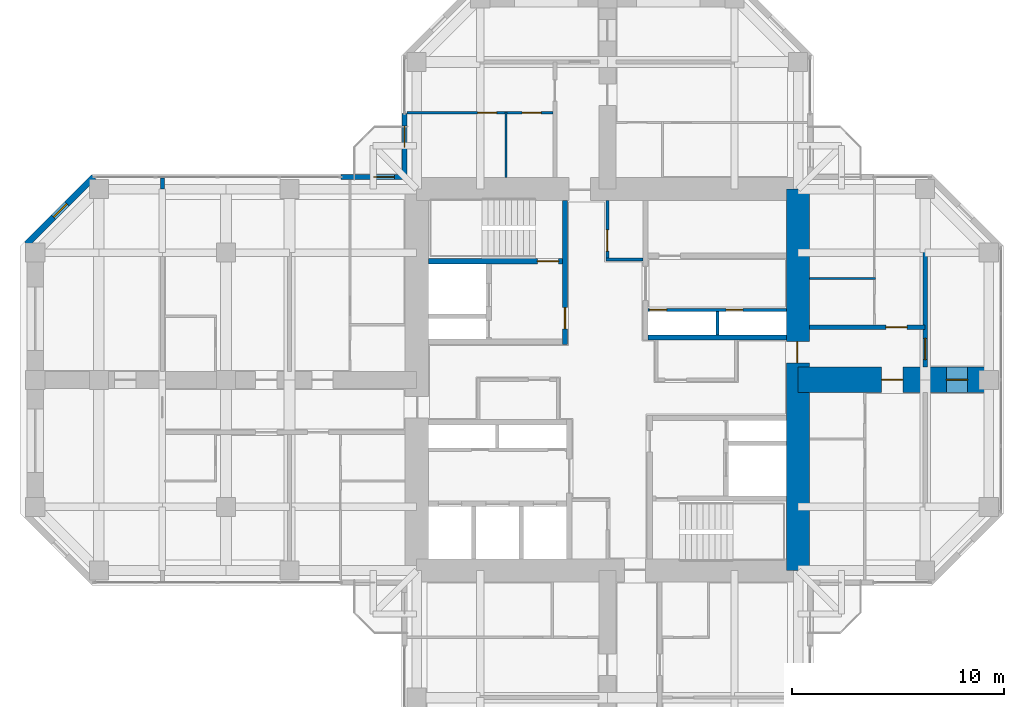
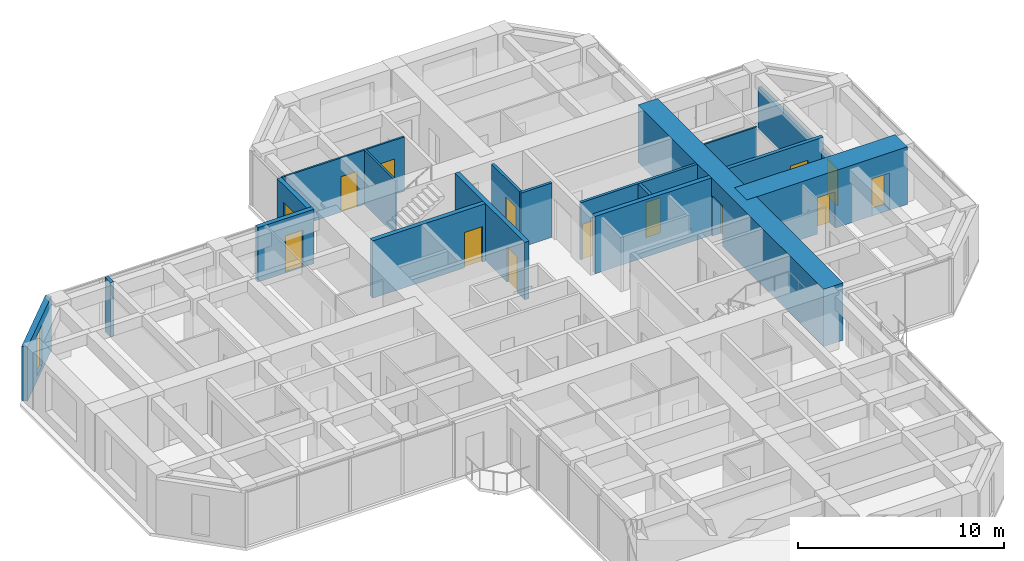
# One storey, part 11 of 14: 18 walls, 14 doors, 1 window, 15 openings.
"""IFC4 building model written with IfcOpenShell, lengths in metres."""

from ifc_helpers import new_model, si_unit, direction, frame, frame_2d, origin, place, context, subcontext, project, spatial, rectangle, hollow_rectangle, extrude, material, layer, layer_set, constituent, constituent_set, type_object, element, fill, save


model = new_model("IFC4")

# Units and contexts
model_context = context("Model", 3, precision=1e-05, world=origin(), true_north=direction((0.0, 1.0)))
body_context = subcontext(model_context, "Body", "Model", "MODEL_VIEW")
ifc_project = project(units=[si_unit("LENGTHUNIT", "METRE"), si_unit("AREAUNIT", "SQUARE_METRE"), si_unit("VOLUMEUNIT", "CUBIC_METRE"), si_unit("PLANEANGLEUNIT", "RADIAN"), si_unit("MASSUNIT", "GRAM", prefix="KILO")], contexts=[model_context])

# Site, building, storey
site_placement = place(None, origin())
site = spatial("IfcSite", under=ifc_project, at=site_placement, CompositionType="ELEMENT")
building_placement = place(site_placement, origin())
building = spatial("IfcBuilding", under=site, at=building_placement, Name="Torre Cruceta", CompositionType="ELEMENT")
storey_placement = place(building_placement, frame((0.0, 0.0, 183.10009765625)))
storey = spatial("IfcBuildingStorey", under=building, at=storey_placement, Name="L45", CompositionType="ELEMENT", Elevation=183.10009765625)

# Wall
ifc_material_1 = material(Name="Water-resistant plasterboard on steel studs", Category="steel")
ifc_layer_1 = layer(ifc_material_1, 0.10009765625)
ifc_layer_set_1 = layer_set([ifc_layer_1], Name="Water-resistant plasterboard on steel studs")
wall_type_1 = type_object("IfcWallType", Name="BATHROOM WALL 100", PredefinedType="PARTITIONING", material=ifc_layer_set_1)
wall_1_placement = place(storey_placement, frame((-4.77490234375, 9.550048828125, 0.0), z_axis=(0.0, 0.0, 1.0), x_axis=(0.0, 1.0, 0.0)))
element("IfcWall", 1, at=wall_1_placement, inside=storey, type_object=wall_type_1, Name="PT4 L45-N-U1LBB", PredefinedType="PARTITIONING", context=body_context, shape_type="SweptSolid", body=[
    extrude(rectangle(XDim=3.099853515625, YDim=0.10009765625, at=frame_2d((1.5498046875, 0.0))), origin(), (0.0, 0.0, 1.0), 3.219970703125),
])

# Wall, openings, doors
wall_2_placement = place(storey_placement, frame((-2.574951171875, 12.60009765625, 0.0), z_axis=(0.0, 0.0, 1.0), x_axis=(-1.0, 0.0, 0.0)))
wall_2 = element("IfcWall", 2, at=wall_2_placement, inside=storey, type_object=wall_type_1, Name="PT4 L45-N-U1LBS", PredefinedType="PARTITIONING", context=body_context, shape_type="SweptSolid", body=[
    extrude(rectangle(XDim=6.8701171875, YDim=0.10009765625, at=frame_2d((3.43505859375, 0.0))), origin(), (0.0, 0.0, 1.0), 3.219970703125),
])
opening_1_placement = place(wall_2_placement, frame((0.550048828125, 0.0, 0.0)))
opening_1 = element("IfcOpeningElement", 3, at=opening_1_placement, cuts=wall_2, Name="Opening D7", PredefinedType="OPENING", context=body_context, shape_type="SweptSolid", body=[
    extrude(rectangle(XDim=0.89990234375, YDim=2.10009765625, at=frame_2d((0.449951171875, 1.050048828125))), frame((0.0, 0.06005859375, 0.0), z_axis=(0.0, -1.0, 0.0), x_axis=(1.0, 0.0, 0.0)), (0.0, 0.0, 1.0), 0.1201171875),
])
opening_2_placement = place(wall_2_placement, frame((2.64990234375, 0.0, 0.0)))
opening_2 = element("IfcOpeningElement", 4, at=opening_2_placement, cuts=wall_2, Name="Opening D7", PredefinedType="OPENING", context=body_context, shape_type="SweptSolid", body=[
    extrude(rectangle(XDim=0.89990234375, YDim=2.10009765625, at=frame_2d((0.449951171875, 1.050048828125))), frame((0.0, 0.06005859375, 0.0), z_axis=(0.0, -1.0, 0.0), x_axis=(1.0, 0.0, 0.0)), (0.0, 0.0, 1.0), 0.1201171875),
])
ifc_material_2 = material(Name="Timber door", Category="wood")
door_type_1 = type_object("IfcDoorType", Name="BATHROOM DOOR 900X2100", OperationType="SINGLE_SWING_LEFT", PredefinedType="DOOR", material=ifc_material_2)
door_1_placement = place(opening_1_placement, origin())
door_1 = element("IfcDoor", 5, at=door_1_placement, inside=storey, type_object=door_type_1, Name="D7 L45-N-U1LBS-D1", OperationType="SINGLE_SWING_LEFT", OverallHeight=2.10009765625, OverallWidth=0.89990234375, PredefinedType="DOOR", context=body_context, shape_type="SweptSolid", body=[
    extrude(rectangle(XDim=0.89990234375, YDim=2.10009765625, at=frame_2d((0.449951171875, 1.050048828125))), frame((0.0, 0.02490234375, 0.0), z_axis=(0.0, -1.0, 0.0), x_axis=(1.0, 0.0, 0.0)), (0.0, 0.0, 1.0), 0.050048828125),
])
fill(opening_1, door_1)
door_2_placement = place(opening_2_placement, origin())
door_2 = element("IfcDoor", 6, at=door_2_placement, inside=storey, type_object=door_type_1, Name="D7 L45-N-U1LBS-D2", OperationType="SINGLE_SWING_LEFT", OverallHeight=2.10009765625, OverallWidth=0.89990234375, PredefinedType="DOOR", context=body_context, shape_type="SweptSolid", body=[
    extrude(rectangle(XDim=0.89990234375, YDim=2.10009765625, at=frame_2d((0.449951171875, 1.050048828125))), frame((0.0, 0.02490234375, 0.0), z_axis=(0.0, -1.0, 0.0), x_axis=(1.0, 0.0, 0.0)), (0.0, 0.0, 1.0), 0.050048828125),
])
fill(opening_2, door_2)

# Walls
wall_3_placement = place(storey_placement, frame((9.550048828125, 4.77490234375, 0.0), z_axis=(0.0, 0.0, 1.0), x_axis=(1.0, 0.0, 0.0)))
element("IfcWall", 7, at=wall_3_placement, inside=storey, type_object=wall_type_1, Name="PT4 L45-E-U1LBB", PredefinedType="PARTITIONING", context=body_context, shape_type="SweptSolid", body=[
    extrude(rectangle(XDim=3.099853515625, YDim=0.10009765625, at=frame_2d((1.5498046875, 0.0))), origin(), (0.0, 0.0, 1.0), 3.219970703125),
])
ifc_material_3 = material(Name="Concrete G60 (fck 60 MPa)", Category="concrete")
ifc_layer_2 = layer(ifc_material_3, 0.25)
ifc_layer_set_2 = layer_set([ifc_layer_2], Name="Concrete G60 (fck 60 MPa)")
wall_type_2 = type_object("IfcWallType", Name="CORE INNER WALL 250 G60", PredefinedType="SHEAR", material=ifc_layer_set_2)
wall_4_placement = place(storey_placement, frame((1.925048828125, 2.0, 0.0), z_axis=(0.0, 0.0, 1.0), x_axis=(1.0, 0.0, 0.0)))
element("IfcWall", 8, at=wall_4_placement, inside=storey, type_object=wall_type_2, Name="CW4 L45 NE-CV", PredefinedType="SHEAR", context=body_context, shape_type="SweptSolid", body=[
    extrude(rectangle(XDim=6.52490234375, YDim=0.25, at=frame_2d((3.262451171875, 0.0))), origin(), (0.0, 0.0, 1.0), 3.39990234375),
])

# Wall, opening, door
wall_5_placement = place(storey_placement, frame((-2.0, 1.675048828125, 0.0), z_axis=(0.0, 0.0, 1.0), x_axis=(0.0, 1.0, 0.0)))
wall_5 = element("IfcWall", 9, at=wall_5_placement, inside=storey, type_object=wall_type_2, Name="CW4 L45 NW-CU", PredefinedType="SHEAR", context=body_context, shape_type="SweptSolid", body=[
    extrude(rectangle(XDim=6.77490234375, YDim=0.25, at=frame_2d((3.387451171875, 0.0))), origin(), (0.0, 0.0, 1.0), 3.39990234375),
])
opening_3_placement = place(wall_5_placement, frame((0.72509765625, 0.0, 0.0)))
opening_3 = element("IfcOpeningElement", 10, at=opening_3_placement, cuts=wall_5, Name="Opening D3", PredefinedType="OPENING", context=body_context, shape_type="SweptSolid", body=[
    extrude(rectangle(XDim=1.0, YDim=2.10009765625, at=frame_2d((0.5, 1.050048828125))), frame((0.0, 0.135009765625, 0.0), z_axis=(0.0, -1.0, 0.0), x_axis=(1.0, 0.0, 0.0)), (0.0, 0.0, 1.0), 0.27001953125),
])
ifc_material_4 = material(Name="Steel DX51D", Category="steel")
ifc_constituent_1 = constituent(ifc_material_4, Name="Leaf and frame")
ifc_material_5 = material(Name="Polyester powder coating", Category="paint")
ifc_constituent_2 = constituent(ifc_material_5, Name="Finish")
ifc_constituent_set_1 = constituent_set(constituents=[ifc_constituent_1, ifc_constituent_2], Name="Steel fire door")
door_type_2 = type_object("IfcDoorType", Name="FIRE DOOR 1000X2100", OperationType="SINGLE_SWING_LEFT", PredefinedType="DOOR", material=ifc_constituent_set_1)
door_3_placement = place(opening_3_placement, origin())
door_3 = element("IfcDoor", 11, at=door_3_placement, inside=storey, type_object=door_type_2, Name="D3 L45 NW-LOBBY", OperationType="SINGLE_SWING_LEFT", OverallHeight=2.10009765625, OverallWidth=1.0, PredefinedType="DOOR", context=body_context, shape_type="SweptSolid", body=[
    extrude(rectangle(XDim=1.0, YDim=2.10009765625, at=frame_2d((0.5, 1.050048828125))), frame((0.0, 0.02490234375, 0.0), z_axis=(0.0, -1.0, 0.0), x_axis=(1.0, 0.0, 0.0)), (0.0, 0.0, 1.0), 0.050048828125),
])
fill(opening_3, door_3)

wall_6_placement = place(storey_placement, frame((-2.125, 5.60009765625, 0.0), z_axis=(0.0, 0.0, 1.0), x_axis=(-1.0, 0.0, 0.0)))
wall_6 = element("IfcWall", 12, at=wall_6_placement, inside=storey, type_object=wall_type_2, Name="CW4 L45 NW-SV", PredefinedType="SHEAR", context=body_context, shape_type="SweptSolid", body=[
    extrude(rectangle(XDim=6.324951171875, YDim=0.25, at=frame_2d((3.16259765625, 0.0))), origin(), (0.0, 0.0, 1.0), 3.39990234375),
])
opening_4_placement = place(wall_6_placement, frame((0.175048828125, 0.0, 0.0)))
opening_4 = element("IfcOpeningElement", 13, at=opening_4_placement, cuts=wall_6, Name="Opening D3", PredefinedType="OPENING", context=body_context, shape_type="SweptSolid", body=[
    extrude(rectangle(XDim=1.0, YDim=2.10009765625, at=frame_2d((0.5, 1.050048828125))), frame((0.0, 0.135009765625, 0.0), z_axis=(0.0, -1.0, 0.0), x_axis=(1.0, 0.0, 0.0)), (0.0, 0.0, 1.0), 0.27001953125),
])
door_4_placement = place(opening_4_placement, frame((1.0, 0.0, 0.0), z_axis=(0.0, 0.0, 1.0), x_axis=(-1.0, 0.0, 0.0)))
door_4 = element("IfcDoor", 14, at=door_4_placement, inside=storey, type_object=door_type_2, Name="D3 L45 NW-STAIR", OperationType="SINGLE_SWING_RIGHT", OverallHeight=2.10009765625, OverallWidth=1.0, PredefinedType="DOOR", context=body_context, shape_type="SweptSolid", body=[
    extrude(rectangle(XDim=1.0, YDim=2.10009765625, at=frame_2d((0.5, 1.050048828125))), frame((0.0, 0.025146484375, 0.0), z_axis=(0.0, -1.0, 0.0), x_axis=(1.0, 0.0, 0.0)), (0.0, 0.0, 1.0), 0.050048828125),
])
fill(opening_4, door_4)

ifc_material_6 = material(Name="Concrete G60 (fck 60 MPa)", Category="concrete")
ifc_layer_3 = layer(ifc_material_6, 1.10009765625)
ifc_layer_set_3 = layer_set([ifc_layer_3], Name="Concrete G60 (fck 60 MPa)")
wall_type_3 = type_object("IfcWallType", Name="CORE WALL 1100 G60", PredefinedType="SHEAR", material=ifc_layer_set_3)
wall_7_placement = place(storey_placement, frame((9.0, -9.0, 0.0), z_axis=(0.0, 0.0, 1.0), x_axis=(0.0, 1.0, 0.0)))
wall_7 = element("IfcWall", 15, at=wall_7_placement, inside=storey, type_object=wall_type_3, Name="CW2 L45 CW-E", PredefinedType="SHEAR", context=body_context, shape_type="SweptSolid", body=[
    extrude(rectangle(XDim=18.0, YDim=1.10009765625, at=frame_2d((9.0, 0.0))), origin(), (0.0, 0.0, 1.0), 3.39990234375),
])
opening_5_placement = place(wall_7_placement, frame((9.800048828125, 0.0, 0.0)))
opening_5 = element("IfcOpeningElement", 16, at=opening_5_placement, cuts=wall_7, Name="Opening D4", PredefinedType="OPENING", context=body_context, shape_type="SweptSolid", body=[
    extrude(rectangle(XDim=1.0, YDim=2.39990234375, at=frame_2d((0.5, 1.199951171875))), frame((0.0, 0.56005859375, 0.0), z_axis=(0.0, -1.0, 0.0), x_axis=(1.0, 0.0, 0.0)), (0.0, 0.0, 1.0), 1.1201171875),
])
ifc_material_7 = material(Name="Steel DX51D", Category="steel")
ifc_constituent_3 = constituent(ifc_material_7, Name="Leaf and frame")
ifc_material_8 = material(Name="Polyester powder coating", Category="paint")
ifc_constituent_4 = constituent(ifc_material_8, Name="Finish")
ifc_constituent_set_2 = constituent_set(constituents=[ifc_constituent_3, ifc_constituent_4], Name="Steel fire door")
door_type_3 = type_object("IfcDoorType", Name="CORE ARM DOOR 1000X2400", OperationType="SINGLE_SWING_RIGHT", PredefinedType="DOOR", material=ifc_constituent_set_2)
door_5_placement = place(opening_5_placement, origin())
door_5 = element("IfcDoor", 17, at=door_5_placement, inside=storey, type_object=door_type_3, Name="D4 L45 CW-E", OperationType="SINGLE_SWING_RIGHT", OverallHeight=2.39990234375, OverallWidth=1.0, PredefinedType="DOOR", context=body_context, shape_type="SweptSolid", body=[
    extrude(rectangle(XDim=1.0, YDim=2.39990234375, at=frame_2d((0.5, 1.199951171875))), frame((0.0, 0.05517578125, 0.0), z_axis=(0.0, -1.0, 0.0), x_axis=(1.0, 0.0, 0.0)), (0.0, 0.0, 1.0), 0.050048828125),
])
fill(opening_5, door_5)

ifc_material_9 = material(Name="Concrete G25 (fck 25 MPa)", Category="concrete")
ifc_layer_4 = layer(ifc_material_9, 0.199951171875)
ifc_layer_set_4 = layer_set([ifc_layer_4], Name="Concrete G25 (fck 25 MPa)")
wall_type_4 = type_object("IfcWallType", Name="CORRIDOR WALL 200", PredefinedType="SOLIDWALL", material=ifc_layer_set_4)
wall_8_placement = place(storey_placement, frame((9.550048828125, 2.47509765625, 0.0), z_axis=(0.0, 0.0, 1.0), x_axis=(1.0, 0.0, 0.0)))
wall_8 = element("IfcWall", 18, at=wall_8_placement, inside=storey, type_object=wall_type_4, Name="PT3 L45-E-CL", PredefinedType="SOLIDWALL", context=body_context, shape_type="SweptSolid", body=[
    extrude(rectangle(XDim=5.449951171875, YDim=0.199951171875, at=frame_2d((2.72509765625, 0.0))), origin(), (0.0, 0.0, 1.0), 3.219970703125),
])
opening_6_placement = place(wall_8_placement, frame((3.60009765625, 0.0, 0.0)))
opening_6 = element("IfcOpeningElement", 19, at=opening_6_placement, cuts=wall_8, Name="Opening D6", PredefinedType="OPENING", context=body_context, shape_type="SweptSolid", body=[
    extrude(rectangle(XDim=1.0, YDim=2.14990234375, at=frame_2d((0.5, 1.074951171875))), frame((0.0, 0.10986328125, 0.0), z_axis=(0.0, -1.0, 0.0), x_axis=(1.0, 0.0, 0.0)), (0.0, 0.0, 1.0), 0.219970703125),
])
ifc_material_10 = material(Name="Timber fire door", Category="wood")
door_type_4 = type_object("IfcDoorType", Name="UNIT ENTRANCE DOOR 1000X2150", OperationType="SINGLE_SWING_LEFT", PredefinedType="DOOR", material=ifc_material_10)
door_6_placement = place(opening_6_placement, origin())
door_6 = element("IfcDoor", 20, at=door_6_placement, inside=storey, type_object=door_type_4, Name="D6 L45-E-CL-D1", OperationType="SINGLE_SWING_LEFT", OverallHeight=2.14990234375, OverallWidth=1.0, PredefinedType="DOOR", context=body_context, shape_type="SweptSolid", body=[
    extrude(rectangle(XDim=1.0, YDim=2.14990234375, at=frame_2d((0.5, 1.074951171875))), frame((0.0, 0.02490234375, 0.0), z_axis=(0.0, -1.0, 0.0), x_axis=(1.0, 0.0, 0.0)), (0.0, 0.0, 1.0), 0.050048828125),
])
fill(opening_6, door_6)

# Wall, opening, window
ifc_material_11 = material(Name="Concrete G30 (fck 30 MPa)", Category="concrete")
ifc_layer_5 = layer(ifc_material_11, 0.300048828125)
ifc_layer_set_5 = layer_set([ifc_layer_5], Name="Concrete G30 (fck 30 MPa)")
wall_type_5 = type_object("IfcWallType", Name="EXPOSED CONCRETE FACADE WALL 300", PredefinedType="SOLIDWALL", material=ifc_layer_set_5)
wall_9_placement = place(storey_placement, frame((-24.236083984375, 9.570068359375, 0.0), z_axis=(0.0, 0.0, 1.0), x_axis=(-0.707079499254, -0.707134062067, 0.0)))
wall_9 = element("IfcWall", 21, at=wall_9_placement, inside=storey, type_object=wall_type_5, Name="EW1 facade wall L45 W chamfer 11", PredefinedType="SOLIDWALL", context=body_context, shape_type="SweptSolid", body=[
    extrude(rectangle(XDim=4.474609375, YDim=0.300048828125, at=frame_2d((2.2373046875, 0.0))), origin(), (0.0, 0.0, 1.0), 3.219970703125),
])
opening_7_placement = place(wall_9_placement, frame((1.787109375, 0.0, 0.300048828125)))
opening_7 = element("IfcOpeningElement", 22, at=opening_7_placement, cuts=wall_9, Name="Opening WN5", PredefinedType="OPENING", context=body_context, shape_type="SweptSolid", body=[
    extrude(rectangle(XDim=0.89990234375, YDim=2.39990234375, at=frame_2d((0.449951171875, 1.199951171875))), frame((0.0, 0.159912109375, 0.0), z_axis=(0.0, -1.0, 0.0), x_axis=(1.0, 0.0, 0.0)), (0.0, 0.0, 1.0), 0.320068359375),
])
ifc_material_12 = material(Name="Aluminium window frame", Category="aluminium")
ifc_constituent_5 = constituent(ifc_material_12, Name="Frame")
ifc_material_13 = material(Name="Laminated insulating glass unit, low-iron clear", Category="glass")
ifc_constituent_6 = constituent(ifc_material_13, Name="Glazing")
ifc_constituent_set_3 = constituent_set(constituents=[ifc_constituent_5, ifc_constituent_6], Name="Aluminium window")
window_type = type_object("IfcWindowType", Name="CHAMFER SLOT WINDOW 900X2400", PartitioningType="SINGLE_PANEL", PredefinedType="WINDOW", material=ifc_constituent_set_3)
window_placement = place(opening_7_placement, origin())
window = element("IfcWindow", 23, at=window_placement, inside=storey, type_object=window_type, Name="WN5 L45 W 1", OverallHeight=2.39990234375, OverallWidth=0.89990234375, PartitioningType="SINGLE_PANEL", PredefinedType="WINDOW", context=body_context, shape_type="SweptSolid", body=[
    extrude(hollow_rectangle(XDim=0.89990234375, YDim=2.39990234375, WallThickness=0.06005859375, at=frame_2d((0.449951171875, 1.199951171875))), frame((0.0, 0.030029296875, 0.0), z_axis=(0.0, -1.0, 0.0), x_axis=(1.0, 0.0, 0.0)), (0.0, 0.0, 1.0), 0.06005859375),
    extrude(rectangle(XDim=0.77880859375, YDim=2.27880859375, at=frame_2d((0.449951171875, 1.199951171875))), frame((0.0, 0.030029296875, 0.0), z_axis=(0.0, -1.0, 0.0), x_axis=(1.0, 0.0, 0.0)), (0.0, 0.0, 1.0), 0.06005859375),
])
fill(opening_7, window)

# Wall, opening, door
ifc_material_14 = material(Name="Plasterboard on steel studs", Category="steel")
ifc_layer_6 = layer(ifc_material_14, 0.14990234375)
ifc_layer_set_6 = layer_set([ifc_layer_6], Name="Plasterboard on steel studs")
wall_type_6 = type_object("IfcWallType", Name="PARTITION 150", PredefinedType="PARTITIONING", material=ifc_layer_set_6)
wall_10_placement = place(storey_placement, frame((0.0, 5.675048828125, 0.0), z_axis=(0.0, 0.0, 1.0), x_axis=(0.0, 1.0, 0.0)))
wall_10 = element("IfcWall", 24, at=wall_10_placement, inside=storey, type_object=wall_type_6, Name="PT1 L45-CORE-LEGN-E-W1", PredefinedType="PARTITIONING", context=body_context, shape_type="SweptSolid", body=[
    extrude(rectangle(XDim=2.77490234375, YDim=0.14990234375, at=frame_2d((1.387451171875, 0.0))), origin(), (0.0, 0.0, 1.0), 3.219970703125),
])
opening_8_placement = place(wall_10_placement, frame((0.39990234375, 0.0, 0.0)))
opening_8 = element("IfcOpeningElement", 25, at=opening_8_placement, cuts=wall_10, Name="Opening D3", PredefinedType="OPENING", context=body_context, shape_type="SweptSolid", body=[
    extrude(rectangle(XDim=1.0, YDim=2.10009765625, at=frame_2d((0.5, 1.050048828125))), frame((0.0, 0.0849609375, 0.0), z_axis=(0.0, -1.0, 0.0), x_axis=(1.0, 0.0, 0.0)), (0.0, 0.0, 1.0), 0.169921875),
])
door_7_placement = place(opening_8_placement, frame((1.0, 0.0, 0.0), z_axis=(0.0, 0.0, 1.0), x_axis=(-1.0, 0.0, 0.0)))
door_7 = element("IfcDoor", 26, at=door_7_placement, inside=storey, type_object=door_type_2, Name="D3 L45-CORE-LEGN-E-W1-D1", OperationType="SINGLE_SWING_RIGHT", OverallHeight=2.10009765625, OverallWidth=1.0, PredefinedType="DOOR", context=body_context, shape_type="SweptSolid", body=[
    extrude(rectangle(XDim=1.0, YDim=2.10009765625, at=frame_2d((0.5, 1.050048828125))), frame((0.0, 0.025146484375, 0.0), z_axis=(0.0, -1.0, 0.0), x_axis=(1.0, 0.0, 0.0)), (0.0, 0.0, 1.0), 0.050048828125),
])
fill(opening_8, door_7)

# Wall
wall_11_placement = place(storey_placement, frame((1.675048828125, 5.675048828125, 0.0), z_axis=(0.0, 0.0, 1.0), x_axis=(-1.0, 0.0, 0.0)))
element("IfcWall", 27, at=wall_11_placement, inside=storey, type_object=wall_type_6, Name="PT1 L45-CORE-LEGN-E-W2", PredefinedType="PARTITIONING", context=body_context, shape_type="SweptSolid", body=[
    extrude(rectangle(XDim=1.75, YDim=0.14990234375, at=frame_2d((0.875, 0.0))), origin(), (0.0, 0.0, 1.0), 3.219970703125),
])

# Wall, openings, doors
ifc_material_15 = material(Name="Concrete block masonry", Category="masonry")
ifc_layer_7 = layer(ifc_material_15, 0.14990234375)
ifc_layer_set_7 = layer_set([ifc_layer_7], Name="Concrete block masonry")
wall_type_7 = type_object("IfcWallType", Name="RISER WALL 150", PredefinedType="PARTITIONING", material=ifc_layer_set_7)
wall_12_placement = place(storey_placement, frame((1.925048828125, 3.300048828125, 0.0), z_axis=(0.0, 0.0, 1.0), x_axis=(1.0, 0.0, 0.0)))
wall_12 = element("IfcWall", 28, at=wall_12_placement, inside=storey, type_object=wall_type_7, Name="SW7 L45 NE-RV", PredefinedType="PARTITIONING", context=body_context, shape_type="SweptSolid", body=[
    extrude(rectangle(XDim=6.52490234375, YDim=0.14990234375, at=frame_2d((3.262451171875, 0.0))), origin(), (0.0, 0.0, 1.0), 3.39990234375),
])
opening_9_placement = place(wall_12_placement, frame((0.074951171875, 0.0, 0.0)))
opening_9 = element("IfcOpeningElement", 29, at=opening_9_placement, cuts=wall_12, Name="Opening D5", PredefinedType="OPENING", context=body_context, shape_type="SweptSolid", body=[
    extrude(rectangle(XDim=0.800048828125, YDim=2.10009765625, at=frame_2d((0.39990234375, 1.050048828125))), frame((0.0, 0.0849609375, 0.0), z_axis=(0.0, -1.0, 0.0), x_axis=(1.0, 0.0, 0.0)), (0.0, 0.0, 1.0), 0.169921875),
])
opening_10_placement = place(wall_12_placement, frame((3.675048828125, 0.0, 0.0)))
opening_10 = element("IfcOpeningElement", 30, at=opening_10_placement, cuts=wall_12, Name="Opening D5", PredefinedType="OPENING", context=body_context, shape_type="SweptSolid", body=[
    extrude(rectangle(XDim=0.800048828125, YDim=2.10009765625, at=frame_2d((0.39990234375, 1.050048828125))), frame((0.0, 0.0849609375, 0.0), z_axis=(0.0, -1.0, 0.0), x_axis=(1.0, 0.0, 0.0)), (0.0, 0.0, 1.0), 0.169921875),
])
ifc_material_16 = material(Name="Steel DX51D", Category="steel")
ifc_constituent_7 = constituent(ifc_material_16, Name="Leaf and frame")
ifc_material_17 = material(Name="Polyester powder coating", Category="paint")
ifc_constituent_8 = constituent(ifc_material_17, Name="Finish")
ifc_constituent_set_4 = constituent_set(constituents=[ifc_constituent_7, ifc_constituent_8], Name="Steel fire door")
door_type_5 = type_object("IfcDoorType", Name="RISER ACCESS DOOR 800X2100", OperationType="SINGLE_SWING_LEFT", PredefinedType="DOOR", material=ifc_constituent_set_4)
door_8_placement = place(opening_9_placement, frame((0.800048828125, 0.0, 0.0), z_axis=(0.0, 0.0, 1.0), x_axis=(-1.0, 0.0, 0.0)))
door_8 = element("IfcDoor", 31, at=door_8_placement, inside=storey, type_object=door_type_5, Name="D5 L45 NE-RISER1", OperationType="SINGLE_SWING_RIGHT", OverallHeight=2.10009765625, OverallWidth=0.800048828125, PredefinedType="DOOR", context=body_context, shape_type="SweptSolid", body=[
    extrude(rectangle(XDim=0.800048828125, YDim=2.10009765625, at=frame_2d((0.400146484375, 1.050048828125))), frame((0.0, 0.025146484375, 0.0), z_axis=(0.0, -1.0, 0.0), x_axis=(1.0, 0.0, 0.0)), (0.0, 0.0, 1.0), 0.050048828125),
])
fill(opening_9, door_8)
door_9_placement = place(opening_10_placement, frame((0.800048828125, 0.0, 0.0), z_axis=(0.0, 0.0, 1.0), x_axis=(-1.0, 0.0, 0.0)))
door_9 = element("IfcDoor", 32, at=door_9_placement, inside=storey, type_object=door_type_5, Name="D5 L45 NE-RISER2", OperationType="SINGLE_SWING_RIGHT", OverallHeight=2.10009765625, OverallWidth=0.800048828125, PredefinedType="DOOR", context=body_context, shape_type="SweptSolid", body=[
    extrude(rectangle(XDim=0.800048828125, YDim=2.10009765625, at=frame_2d((0.400146484375, 1.050048828125))), frame((0.0, 0.025146484375, 0.0), z_axis=(0.0, -1.0, 0.0), x_axis=(1.0, 0.0, 0.0)), (0.0, 0.0, 1.0), 0.050048828125),
])
fill(opening_10, door_9)

# Wall
wall_13_placement = place(storey_placement, frame((5.199951171875, 2.125, 0.0), z_axis=(0.0, 0.0, 1.0), x_axis=(0.0, 1.0, 0.0)))
element("IfcWall", 33, at=wall_13_placement, inside=storey, type_object=wall_type_7, Name="SW7 L45 NE-RU", PredefinedType="PARTITIONING", context=body_context, shape_type="SweptSolid", body=[
    extrude(rectangle(XDim=1.10009765625, YDim=0.14990234375, at=frame_2d((0.550048828125, 0.0))), origin(), (0.0, 0.0, 1.0), 3.39990234375),
])

# Wall, openings, doors
ifc_material_18 = material(Name="Concrete G60 (fck 60 MPa)", Category="concrete")
ifc_layer_8 = layer(ifc_material_18, 1.199951171875)
ifc_layer_set_8 = layer_set([ifc_layer_8], Name="Concrete G60 (fck 60 MPa)")
wall_type_8 = type_object("IfcWallType", Name="SPINE WALL 1200 G60", PredefinedType="SHEAR", material=ifc_layer_set_8)
wall_14_placement = place(storey_placement, frame((9.0, 0.0, 0.0), z_axis=(0.0, 0.0, 1.0), x_axis=(1.0, 0.0, 0.0)))
wall_14 = element("IfcWall", 34, at=wall_14_placement, inside=storey, type_object=wall_type_8, Name="SW3 spine wall L45 E", PredefinedType="SHEAR", context=body_context, shape_type="SweptSolid", body=[
    extrude(rectangle(XDim=9.0, YDim=1.199951171875, at=frame_2d((4.5, 0.0))), origin(), (0.0, 0.0, 1.0), 3.39990234375),
])
opening_11_placement = place(wall_14_placement, frame((3.949951171875, 0.0, 0.0)))
opening_11 = element("IfcOpeningElement", 35, at=opening_11_placement, cuts=wall_14, Name="Opening D6", PredefinedType="OPENING", context=body_context, shape_type="SweptSolid", body=[
    extrude(rectangle(XDim=1.0, YDim=2.14990234375, at=frame_2d((0.5, 1.074951171875))), frame((0.0, 0.60986328125, 0.0), z_axis=(0.0, -1.0, 0.0), x_axis=(1.0, 0.0, 0.0)), (0.0, 0.0, 1.0), 1.219970703125),
])
opening_12_placement = place(wall_14_placement, frame((7.0, 0.0, 0.0)))
opening_12 = element("IfcOpeningElement", 36, at=opening_12_placement, cuts=wall_14, Name="Opening D14", PredefinedType="OPENING", context=body_context, shape_type="SweptSolid", body=[
    extrude(rectangle(XDim=1.0, YDim=2.199951171875, at=frame_2d((0.5, 1.10009765625))), frame((0.0, 0.60986328125, 0.0), z_axis=(0.0, -1.0, 0.0), x_axis=(1.0, 0.0, 0.0)), (0.0, 0.0, 1.0), 1.219970703125),
])
ifc_material_19 = material(Name="Steel DX51D", Category="steel")
ifc_constituent_9 = constituent(ifc_material_19, Name="Leaf and frame")
ifc_material_20 = material(Name="Polyester powder coating", Category="paint")
ifc_constituent_10 = constituent(ifc_material_20, Name="Finish")
ifc_material_21 = material(Name="Fire-resisting glass", Category="glass")
ifc_constituent_11 = constituent(ifc_material_21, Name="Vision panel")
ifc_constituent_set_5 = constituent_set(constituents=[ifc_constituent_9, ifc_constituent_10, ifc_constituent_11], Name="Steel fire door with vision panel")
door_type_6 = type_object("IfcDoorType", Name="FIRE DOOR VISION PANEL 1000X2200", OperationType="SINGLE_SWING_RIGHT", PredefinedType="DOOR", material=ifc_constituent_set_5)
door_10_placement = place(opening_12_placement, origin())
door_10 = element("IfcDoor", 37, at=door_10_placement, inside=storey, type_object=door_type_6, Name="D14 L45-E-SP2", OperationType="SINGLE_SWING_LEFT", OverallHeight=2.199951171875, OverallWidth=1.0, PredefinedType="DOOR", context=body_context, shape_type="SweptSolid", body=[
    extrude(rectangle(XDim=1.0, YDim=2.199951171875, at=frame_2d((0.5, 1.10009765625))), frame((0.0, 0.02490234375, 0.0), z_axis=(0.0, -1.0, 0.0), x_axis=(1.0, 0.0, 0.0)), (0.0, 0.0, 1.0), 0.050048828125),
])
fill(opening_12, door_10)
door_11_placement = place(opening_11_placement, frame((1.0, 0.0, 0.0), z_axis=(0.0, 0.0, 1.0), x_axis=(-1.0, 0.0, 0.0)))
door_11 = element("IfcDoor", 38, at=door_11_placement, inside=storey, type_object=door_type_4, Name="D6 L45-E-SP1", OperationType="SINGLE_SWING_RIGHT", OverallHeight=2.14990234375, OverallWidth=1.0, PredefinedType="DOOR", context=body_context, shape_type="SweptSolid", body=[
    extrude(rectangle(XDim=1.0, YDim=2.14990234375, at=frame_2d((0.5, 1.074951171875))), frame((0.0, 0.025146484375, 0.0), z_axis=(0.0, -1.0, 0.0), x_axis=(1.0, 0.0, 0.0)), (0.0, 0.0, 1.0), 0.050048828125),
])
fill(opening_11, door_11)

# Wall, opening, door
ifc_material_22 = material(Name="Concrete G25 (fck 25 MPa)", Category="concrete")
ifc_layer_9 = layer(ifc_material_22, 0.199951171875)
ifc_layer_set_9 = layer_set([ifc_layer_9], Name="Concrete G25 (fck 25 MPa)")
wall_type_9 = type_object("IfcWallType", Name="UNIT SEPARATING WALL 200", PredefinedType="SOLIDWALL", material=ifc_layer_set_9)
wall_15_placement = place(storey_placement, frame((15.0, 0.60009765625, 0.0), z_axis=(0.0, 0.0, 1.0), x_axis=(0.0, 1.0, 0.0)))
wall_15 = element("IfcWall", 39, at=wall_15_placement, inside=storey, type_object=wall_type_9, Name="PT2 L45-E-ENDb", PredefinedType="SOLIDWALL", context=body_context, shape_type="SweptSolid", body=[
    extrude(rectangle(XDim=7.949951171875, YDim=0.199951171875, at=frame_2d((3.97509765625, 0.0))), origin(), (0.0, 0.0, 1.0), 2.469970703125),
])
opening_13_placement = place(wall_15_placement, frame((0.35009765625, 0.0, 0.0)))
opening_13 = element("IfcOpeningElement", 40, at=opening_13_placement, cuts=wall_15, Name="Opening D14", PredefinedType="OPENING", context=body_context, shape_type="SweptSolid", body=[
    extrude(rectangle(XDim=1.0, YDim=2.199951171875, at=frame_2d((0.5, 1.10009765625))), frame((0.0, 0.10986328125, 0.0), z_axis=(0.0, -1.0, 0.0), x_axis=(1.0, 0.0, 0.0)), (0.0, 0.0, 1.0), 0.219970703125),
])
door_12_placement = place(opening_13_placement, frame((1.0, 0.0, 0.0), z_axis=(0.0, 0.0, 1.0), x_axis=(-1.0, 0.0, 0.0)))
door_12 = element("IfcDoor", 41, at=door_12_placement, inside=storey, type_object=door_type_6, Name="D14 L45-E-ENDb-D1", OperationType="SINGLE_SWING_LEFT", OverallHeight=2.199951171875, OverallWidth=1.0, PredefinedType="DOOR", context=body_context, shape_type="SweptSolid", body=[
    extrude(rectangle(XDim=1.0, YDim=2.199951171875, at=frame_2d((0.5, 1.10009765625))), frame((0.0, 0.025146484375, 0.0), z_axis=(0.0, -1.0, 0.0), x_axis=(1.0, 0.0, 0.0)), (0.0, 0.0, 1.0), 0.050048828125),
])
fill(opening_13, door_12)

# Wall
wall_16_placement = place(storey_placement, frame((-21.0, 9.530029296875, 0.0), z_axis=(0.0, 0.0, 1.0), x_axis=(0.0, -1.0, 0.0)))
element("IfcWall", 42, at=wall_16_placement, inside=storey, type_object=wall_type_9, Name="PT2 L45-W-ENDa", PredefinedType="SOLIDWALL", context=body_context, shape_type="SweptSolid", body=[
    extrude(rectangle(XDim=0.530029296875, YDim=0.199951171875, at=frame_2d((0.26513671875, 0.0))), origin(), (0.0, 0.0, 1.0), 3.219970703125),
])

# Wall, opening, door
ifc_material_23 = material(Name="Concrete G30 (fck 30 MPa)", Category="concrete")
ifc_layer_10 = layer(ifc_material_23, 0.25)
ifc_layer_set_10 = layer_set([ifc_layer_10], Name="Concrete G30 (fck 30 MPa)")
wall_type_10 = type_object("IfcWallType", Name="WINTER GARDEN WALL 250", PredefinedType="SOLIDWALL", material=ifc_layer_set_10)
wall_17_placement = place(storey_placement, frame((-9.570068359375, 12.570068359375, 0.0), z_axis=(0.0, 0.0, 1.0), x_axis=(0.0, -1.0, 0.0)))
wall_17 = element("IfcWall", 43, at=wall_17_placement, inside=storey, type_object=wall_type_10, Name="EW2 winter garden wall L45 09", PredefinedType="SOLIDWALL", context=body_context, shape_type="SweptSolid", body=[
    extrude(rectangle(XDim=2.875, YDim=0.25, at=frame_2d((1.4375, 0.0))), origin(), (0.0, 0.0, 1.0), 3.219970703125),
])
opening_14_placement = place(wall_17_placement, frame((0.60009765625, 0.0, 0.0)))
opening_14 = element("IfcOpeningElement", 44, at=opening_14_placement, cuts=wall_17, Name="Opening D10", PredefinedType="OPENING", context=body_context, shape_type="SweptSolid", body=[
    extrude(rectangle(XDim=1.0, YDim=2.199951171875, at=frame_2d((0.5, 1.10009765625))), frame((0.0, 0.135009765625, 0.0), z_axis=(0.0, -1.0, 0.0), x_axis=(1.0, 0.0, 0.0)), (0.0, 0.0, 1.0), 0.27001953125),
])
ifc_material_24 = material(Name="Aluminium door frame", Category="aluminium")
ifc_constituent_12 = constituent(ifc_material_24, Name="Frame")
ifc_material_25 = material(Name="Laminated safety glass", Category="glass")
ifc_constituent_13 = constituent(ifc_material_25, Name="Glazing")
ifc_constituent_set_6 = constituent_set(constituents=[ifc_constituent_12, ifc_constituent_13], Name="Aluminium glazed door")
door_type_7 = type_object("IfcDoorType", Name="BALCONY DOOR 1000X2200", OperationType="SINGLE_SWING_RIGHT", PredefinedType="DOOR", material=ifc_constituent_set_6)
door_13_placement = place(opening_14_placement, origin())
door_13 = element("IfcDoor", 45, at=door_13_placement, inside=storey, type_object=door_type_7, Name="D10 balcony door L45 09", OperationType="SINGLE_SWING_LEFT", OverallHeight=2.199951171875, OverallWidth=1.0, PredefinedType="DOOR", context=body_context, shape_type="SweptSolid", body=[
    extrude(hollow_rectangle(XDim=1.0, YDim=2.199951171875, WallThickness=0.06005859375, at=frame_2d((0.5, 1.10009765625))), frame((0.0, 0.02490234375, 0.0), z_axis=(0.0, -1.0, 0.0), x_axis=(1.0, 0.0, 0.0)), (0.0, 0.0, 1.0), 0.050048828125),
    extrude(rectangle(XDim=0.87890625, YDim=2.078857421875, at=frame_2d((0.5, 1.10009765625))), frame((0.0, 0.02490234375, 0.0), z_axis=(0.0, -1.0, 0.0), x_axis=(1.0, 0.0, 0.0)), (0.0, 0.0, 1.0), 0.050048828125),
])
fill(opening_14, door_13)

wall_18_placement = place(storey_placement, frame((-9.445068359375, 9.570068359375, 0.0), z_axis=(0.0, 0.0, 1.0), x_axis=(-1.0, 0.0, 0.0)))
wall_18 = element("IfcWall", 46, at=wall_18_placement, inside=storey, type_object=wall_type_10, Name="EW2 winter garden wall L45 10", PredefinedType="SOLIDWALL", context=body_context, shape_type="SweptSolid", body=[
    extrude(rectangle(XDim=3.125, YDim=0.25, at=frame_2d((1.5625, 0.0))), origin(), (0.0, 0.0, 1.0), 3.219970703125),
])
opening_15_placement = place(wall_18_placement, frame((0.60009765625, 0.0, 0.0)))
opening_15 = element("IfcOpeningElement", 47, at=opening_15_placement, cuts=wall_18, Name="Opening D10", PredefinedType="OPENING", context=body_context, shape_type="SweptSolid", body=[
    extrude(rectangle(XDim=1.0, YDim=2.199951171875, at=frame_2d((0.5, 1.10009765625))), frame((0.0, 0.135009765625, 0.0), z_axis=(0.0, -1.0, 0.0), x_axis=(1.0, 0.0, 0.0)), (0.0, 0.0, 1.0), 0.27001953125),
])
door_14_placement = place(opening_15_placement, origin())
door_14 = element("IfcDoor", 48, at=door_14_placement, inside=storey, type_object=door_type_7, Name="D10 balcony door L45 10", OperationType="SINGLE_SWING_LEFT", OverallHeight=2.199951171875, OverallWidth=1.0, PredefinedType="DOOR", context=body_context, shape_type="SweptSolid", body=[
    extrude(hollow_rectangle(XDim=1.0, YDim=2.199951171875, WallThickness=0.06005859375, at=frame_2d((0.5, 1.10009765625))), frame((0.0, 0.02490234375, 0.0), z_axis=(0.0, -1.0, 0.0), x_axis=(1.0, 0.0, 0.0)), (0.0, 0.0, 1.0), 0.050048828125),
    extrude(rectangle(XDim=0.87890625, YDim=2.078857421875, at=frame_2d((0.5, 1.10009765625))), frame((0.0, 0.02490234375, 0.0), z_axis=(0.0, -1.0, 0.0), x_axis=(1.0, 0.0, 0.0)), (0.0, 0.0, 1.0), 0.050048828125),
])
fill(opening_15, door_14)

save(model, "model.ifc")
